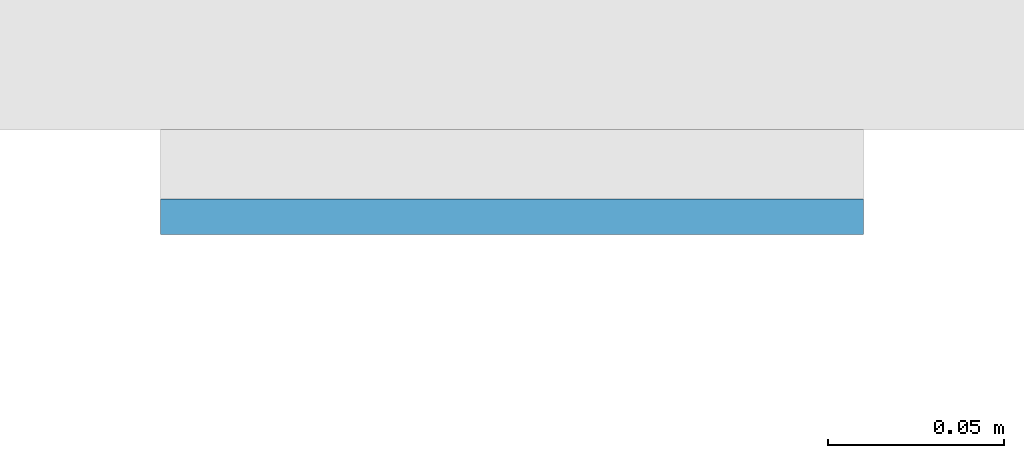
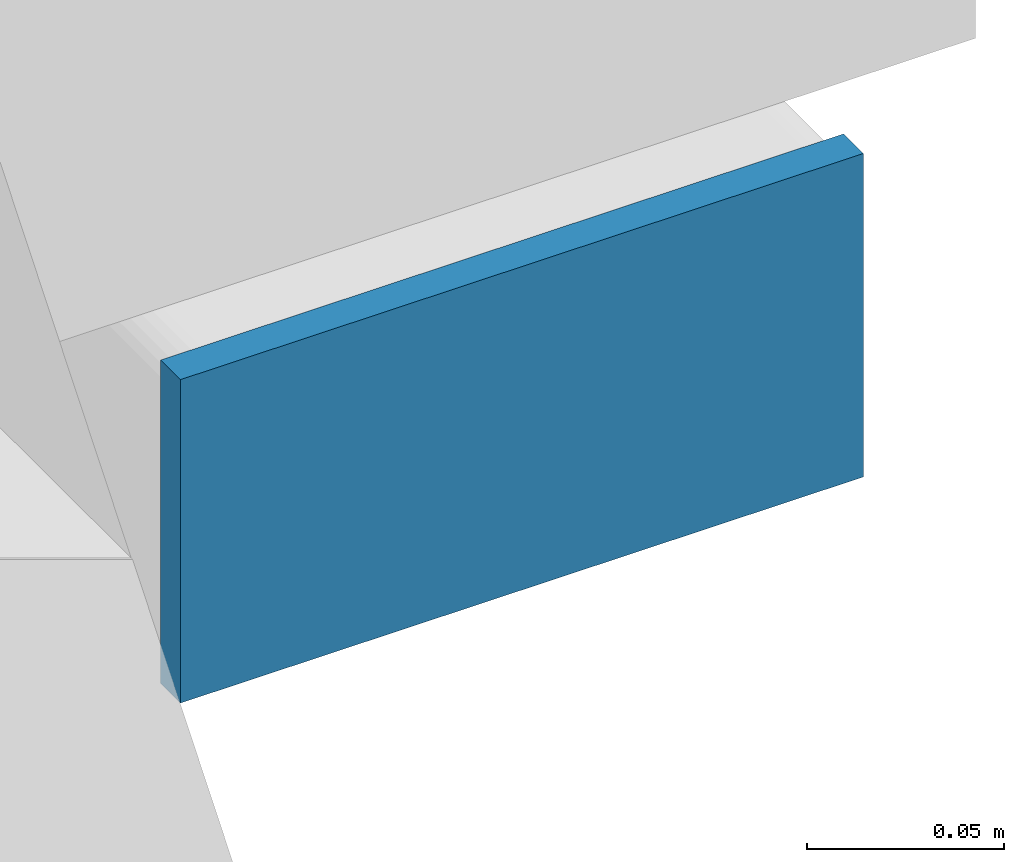
# One storey, part 10 of 20: 1 plate.
"""IFC4 building model written with IfcOpenShell, lengths in metres."""

from ifc_helpers import new_model, si_unit, direction, frame, origin, origin_2d, place, context, subcontext, project, spatial, rectangle, extrude, material, layer, layer_set, type_object, element, save


model = new_model("IFC4")

# Units and contexts
model_context = context("Model", 3, precision=1e-05, world=origin(), true_north=direction((0.0, 1.0)))
body_context = subcontext(model_context, "Body", "Model", "MODEL_VIEW")
ifc_project = project(units=[si_unit("LENGTHUNIT", "METRE"), si_unit("AREAUNIT", "SQUARE_METRE"), si_unit("VOLUMEUNIT", "CUBIC_METRE"), si_unit("PLANEANGLEUNIT", "RADIAN"), si_unit("MASSUNIT", "GRAM", prefix="KILO")], contexts=[model_context])

# Site, building, storey
site_placement = place(None, origin())
site = spatial("IfcSite", under=ifc_project, at=site_placement, CompositionType="ELEMENT")
building_placement = place(site_placement, origin())
building = spatial("IfcBuilding", under=site, at=building_placement, Name="Cleftline Residences", CompositionType="ELEMENT")
storey_placement = place(building_placement, frame((0.0, 0.0, 117.800048828125)))
storey = spatial("IfcBuildingStorey", under=building, at=storey_placement, Name="L30", CompositionType="ELEMENT", Elevation=117.800048828125)

# Plate
ifc_material = material(Name="Steel S355, hot-dip galvanised", Category="steel")
ifc_layer = layer(ifc_material, 0.010009765625)
ifc_layer_set = layer_set([ifc_layer], Name="BAGUETTE CARRIER END PLATE 200X100X10")
plate_type = type_object("IfcPlateType", Name="BAGUETTE CARRIER END PLATE 200X100X10", PredefinedType="USERDEFINED", material=ifc_layer_set)
plate_placement = place(storey_placement, frame((66.85009765625, 3.695068359375, -0.10009765625), z_axis=(0.0, 0.0, 1.0), x_axis=(1.0, 0.0, 0.0)))
element("IfcPlate", 1, at=plate_placement, inside=storey, type_object=plate_type, Name="Baguette carrier end plate", ObjectType="BAGUETTE CARRIER END PLATE", PredefinedType="USERDEFINED", context=body_context, shape_type="SweptSolid", body=[
    extrude(rectangle(XDim=0.199951171875, YDim=0.010009765625, at=origin_2d()), origin(), (0.0, 0.0, 1.0), 0.10009765625),
])

save(model, "model.ifc")
